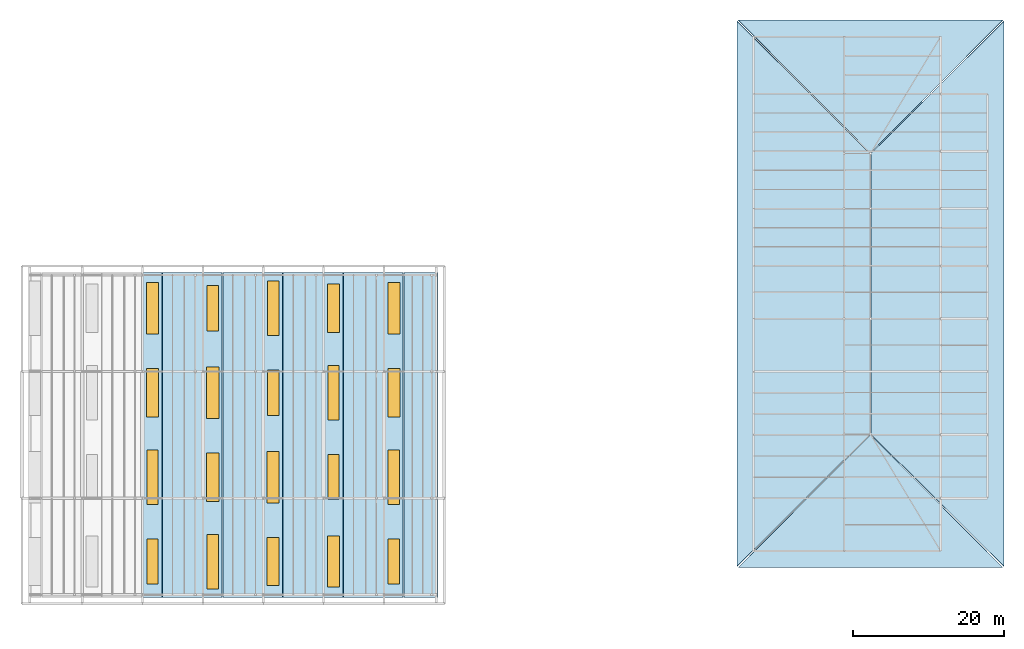
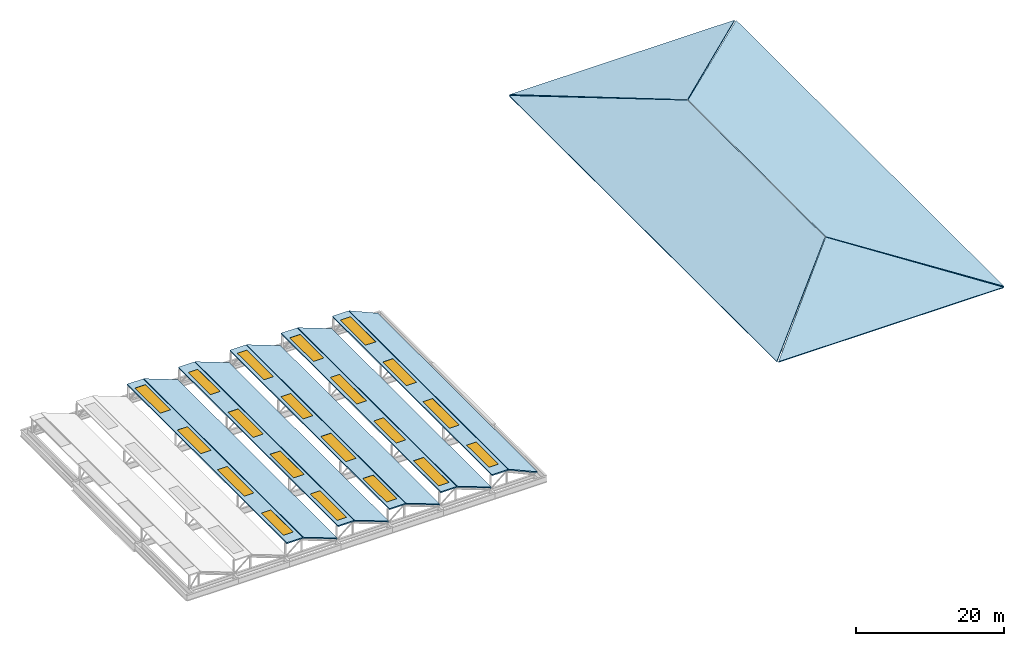
# One storey, part 12 of 14: 20 windows, 14 slabs, 20 openings.
"""IFC4 building model written with IfcOpenShell, lengths in metres."""

from ifc_helpers import new_model, si_unit, direction, frame, origin, origin_2d, place, context, subcontext, project, spatial, polyline, rectangle, outline, extrude, material, layer, layer_set, type_object, element, fill, save


model = new_model("IFC4")

# Units and contexts
model_context = context("Model", 3, precision=1e-05, world=origin(), true_north=direction((0.0, 1.0)))
body_context = subcontext(model_context, "Body", "Model", "MODEL_VIEW")
ifc_project = project(units=[si_unit("LENGTHUNIT", "METRE"), si_unit("AREAUNIT", "SQUARE_METRE"), si_unit("VOLUMEUNIT", "CUBIC_METRE"), si_unit("PLANEANGLEUNIT", "RADIAN"), si_unit("MASSUNIT", "GRAM", prefix="KILO")], contexts=[model_context])

# Site, building, storey
site_placement = place(None, origin())
site = spatial("IfcSite", under=ifc_project, at=site_placement, CompositionType="ELEMENT")
building_placement = place(site_placement, origin())
building = spatial("IfcBuilding", under=site, at=building_placement, Name="Vekula Escarpment Museum", CompositionType="ELEMENT")
storey_placement = place(building_placement, frame((0.0, 0.0, 30.60009765625)))
storey = spatial("IfcBuildingStorey", under=building, at=storey_placement, Name="RF", CompositionType="ELEMENT", Elevation=30.60009765625)

# Slabs
ifc_material_1 = material(Name="Concrete C35/45", Category="concrete")
ifc_layer_1 = layer(ifc_material_1, 0.159912109375)
ifc_layer_set_1 = layer_set([ifc_layer_1], Name="Concrete C35/45")
slab_type_1 = type_object("IfcSlabType", Name="SL-HIP-160", PredefinedType="ROOF", material=ifc_layer_set_1)
for number, where, z_axis, x_axis, name in (
    (1, (164.800048828125, 122.840087890625, 0.0), (-0.205282021113, 0.0, 0.978702861857), (0.0, -1.0, 0.0), "Cumba Gallery Hipped Sacak Roof West"),
    (2, (200.199951171875, 50.56005859375, 0.0), (0.205282021113, 0.0, 0.978702861857), (0.0, 1.0, 0.0), "Cumba Gallery Hipped Sacak Roof East"),
):
    element("IfcSlab", number, at=place(storey_placement, frame(where, z_axis=z_axis, x_axis=x_axis)), inside=storey, type_object=slab_type_1, Name=name, PredefinedType="ROOF", context=body_context, shape_type="SweptSolid", body=[
        extrude(outline(polyline([(0.0, 0.0), (72.280029296875, 0.0), (54.739990234375, 18.02374680364903), (17.5400390625, 18.02374680364903), (0.0, 0.0)])), origin(), (0.0, 0.0, -1.0), 0.159912109375),
    ])
slab_1_placement = place(storey_placement, frame((164.9599609375, 50.39990234375, 0.0), z_axis=(0.0, -0.205279299721, 0.978703432663), x_axis=(1.0, 0.0, 0.0)))
element("IfcSlab", 3, at=slab_1_placement, inside=storey, type_object=slab_type_1, Name="Cumba Gallery Hipped Sacak Roof South", PredefinedType="ROOF", context=body_context, shape_type="SweptSolid", body=[
    extrude(outline(polyline([(0.0, 0.0), (35.080078125, 0.0), (17.5400390625, 18.023985744847092), (0.0, 0.0)])), origin(), (0.0, 0.0, -1.0), 0.159912109375),
])
slab_2_placement = place(storey_placement, frame((200.0400390625, 123.0, 0.0), z_axis=(0.0, 0.205282021113, 0.978702861857), x_axis=(-1.0, 0.0, 0.0)))
element("IfcSlab", 4, at=slab_2_placement, inside=storey, type_object=slab_type_1, Name="Cumba Gallery Hipped Sacak Roof North", PredefinedType="ROOF", context=body_context, shape_type="SweptSolid", body=[
    extrude(outline(polyline([(0.0, 0.0), (35.080078125, 0.0), (17.5400390625, 18.02374680364903), (0.0, 0.0)])), origin(), (0.0, 0.0, -1.0), 0.159912109375),
])
ifc_material_2 = material(Name="Concrete C35/45", Category="concrete")
ifc_layer_2 = layer(ifc_material_2, 0.179931640625)
ifc_layer_set_2 = layer_set([ifc_layer_2], Name="Concrete C35/45")
slab_type_2 = type_object("IfcSlabType", Name="SL-ROOF-180", PredefinedType="ROOF", material=ifc_layer_set_2)
for number, where, z_axis, x_axis, name in (
    (5, (88.639892578125, 46.449951171875, 0.199951171875), (0.353054405234, 0.0, 0.935602793361), (0.935602793361, 0.0, -0.353054405234), "Sawtooth North-Light Roof Slab 03"),
    (6, (96.639892578125, 46.449951171875, 0.199951171875), (0.353054405234, 0.0, 0.935602793361), (0.935602793361, 0.0, -0.353054405234), "Sawtooth North-Light Roof Slab 04"),
    (7, (104.639892578125, 46.449951171875, 0.199951171875), (0.353054405234, 0.0, 0.935602793361), (0.935602793361, 0.0, -0.353054405234), "Sawtooth North-Light Roof Slab 05"),
    (8, (112.639892578125, 46.449951171875, 0.199951171875), (0.353054405234, 0.0, 0.935602793361), (0.935602793361, 0.0, -0.353054405234), "Sawtooth North-Light Roof Slab 06"),
):
    element("IfcSlab", number, at=place(storey_placement, frame(where, z_axis=z_axis, x_axis=x_axis)), inside=storey, type_object=slab_type_2, Name=name, PredefinedType="ROOF", context=body_context, shape_type="SweptSolid", body=[
        extrude(outline(polyline([(0.0, 0.0), (5.664849299011332, 0.0), (5.664849299011332, 43.10009765625), (0.0, 43.10009765625), (0.0, 0.0)])), origin(), (0.0, 0.0, -1.0), 0.179931640625),
    ])
slab_3_placement = place(storey_placement, frame((120.639892578125, 46.449951171875, 0.199951171875), z_axis=(0.406138466053, 0.0, 0.91381154862), x_axis=(0.91381154862, 0.0, -0.406138466053)))
element("IfcSlab", 9, at=slab_3_placement, inside=storey, type_object=slab_type_2, Name="Sawtooth North-Light Roof Slab 07", PredefinedType="ROOF", context=body_context, shape_type="SweptSolid", body=[
    extrude(outline(polyline([(0.0, 0.0), (4.924428900898053, 0.0), (4.924428900898053, 43.10009765625001), (0.0, 43.10009765625001), (0.0, 0.0)])), origin(), (0.0, 0.0, -1.0), 0.179931640625),
])

# Slab, openings, windows
ifc_material_3 = material(Name="Concrete C35/45", Category="concrete")
ifc_layer_3 = layer(ifc_material_3, 0.199951171875)
ifc_layer_set_3 = layer_set([ifc_layer_3], Name="Concrete C35/45")
slab_type_3 = type_object("IfcSlabType", Name="SL-ROOF-200", PredefinedType="ROOF", material=ifc_layer_set_3)
slab_4_placement = place(storey_placement, origin())
slab_4 = element("IfcSlab", 10, at=slab_4_placement, inside=storey, type_object=slab_type_3, Name="Sawtooth Monitor Crown Strip 03", PredefinedType="ROOF", context=body_context, shape_type="SweptSolid", body=[
    extrude(outline(polyline([(86.06005859375, 46.449951171875), (88.550048828125, 46.449951171875), (88.550048828125, 89.550048828125), (86.06005859375, 89.550048828125), (86.06005859375, 46.449951171875)])), origin(), (0.0, 0.0, 1.0), 0.199951171875),
])
opening_1_placement = place(slab_4_placement, frame((87.304931640625, 51.199951171875, -0.010009765625)))
opening_1 = element("IfcOpeningElement", 11, at=opening_1_placement, cuts=slab_4, Name="Opening RL-03", PredefinedType="OPENING", context=body_context, shape_type="SweptSolid", body=[
    extrude(rectangle(XDim=1.5, YDim=6.0, at=origin_2d()), origin(), (0.0, 0.0, 1.0), 0.219970703125),
])
opening_2_placement = place(slab_4_placement, frame((87.304931640625, 62.39990234375, -0.010009765625)))
opening_2 = element("IfcOpeningElement", 12, at=opening_2_placement, cuts=slab_4, Name="Opening RL-04", PredefinedType="OPENING", context=body_context, shape_type="SweptSolid", body=[
    extrude(rectangle(XDim=1.5, YDim=7.199951171875, at=origin_2d()), origin(), (0.0, 0.0, 1.0), 0.219970703125),
])
opening_3_placement = place(slab_4_placement, frame((87.304931640625, 73.60009765625, -0.010009765625)))
opening_3 = element("IfcOpeningElement", 13, at=opening_3_placement, cuts=slab_4, Name="Opening RL-01", PredefinedType="OPENING", context=body_context, shape_type="SweptSolid", body=[
    extrude(rectangle(XDim=1.60009765625, YDim=6.39990234375, at=origin_2d()), origin(), (0.0, 0.0, 1.0), 0.219970703125),
])
opening_4_placement = place(slab_4_placement, frame((87.304931640625, 84.800048828125, -0.010009765625)))
opening_4 = element("IfcOpeningElement", 14, at=opening_4_placement, cuts=slab_4, Name="Opening RL-02", PredefinedType="OPENING", context=body_context, shape_type="SweptSolid", body=[
    extrude(rectangle(XDim=1.60009765625, YDim=6.800048828125, at=origin_2d()), origin(), (0.0, 0.0, 1.0), 0.219970703125),
])
ifc_material_4 = material(Name="Double solar-control low-E glass", Category="glass")
window_type_1 = type_object("IfcWindowType", Name="SK-SAW-15x60", PartitioningType="SINGLE_PANEL", PredefinedType="SKYLIGHT", material=ifc_material_4)
window_1_placement = place(opening_1_placement, frame((0.0, 0.0, 0.14990234375)))
window_1 = element("IfcWindow", 15, at=window_1_placement, inside=storey, type_object=window_type_1, Name="Sawtooth Rooflight RL-09", OverallHeight=6.0, OverallWidth=1.5, PartitioningType="SINGLE_PANEL", PredefinedType="SKYLIGHT", context=body_context, shape_type="SweptSolid", body=[
    extrude(rectangle(XDim=1.5, YDim=6.0, at=origin_2d()), origin(), (0.0, 0.0, 1.0), 0.050048828125),
])
fill(opening_1, window_1)
ifc_material_5 = material(Name="Double solar-control low-E glass", Category="glass")
window_type_2 = type_object("IfcWindowType", Name="SK-SAW-15x72", PartitioningType="SINGLE_PANEL", PredefinedType="SKYLIGHT", material=ifc_material_5)
window_2_placement = place(opening_2_placement, frame((0.0, 0.0, 0.14990234375)))
window_2 = element("IfcWindow", 16, at=window_2_placement, inside=storey, type_object=window_type_2, Name="Sawtooth Rooflight RL-10", OverallHeight=7.199951171875, OverallWidth=1.5, PartitioningType="SINGLE_PANEL", PredefinedType="SKYLIGHT", context=body_context, shape_type="SweptSolid", body=[
    extrude(rectangle(XDim=1.5, YDim=7.199951171875, at=origin_2d()), origin(), (0.0, 0.0, 1.0), 0.050048828125),
])
fill(opening_2, window_2)
ifc_material_6 = material(Name="Double solar-control low-E glass", Category="glass")
window_type_3 = type_object("IfcWindowType", Name="SK-SAW-16x64", PartitioningType="SINGLE_PANEL", PredefinedType="SKYLIGHT", material=ifc_material_6)
window_3_placement = place(opening_3_placement, frame((0.0, 0.0, 0.14990234375)))
window_3 = element("IfcWindow", 17, at=window_3_placement, inside=storey, type_object=window_type_3, Name="Sawtooth Rooflight RL-11", OverallHeight=6.39990234375, OverallWidth=1.60009765625, PartitioningType="SINGLE_PANEL", PredefinedType="SKYLIGHT", context=body_context, shape_type="SweptSolid", body=[
    extrude(rectangle(XDim=1.60009765625, YDim=6.39990234375, at=origin_2d()), origin(), (0.0, 0.0, 1.0), 0.050048828125),
])
fill(opening_3, window_3)
ifc_material_7 = material(Name="Double solar-control low-E glass", Category="glass")
window_type_4 = type_object("IfcWindowType", Name="SK-SAW-16x68", PartitioningType="SINGLE_PANEL", PredefinedType="SKYLIGHT", material=ifc_material_7)
window_4_placement = place(opening_4_placement, frame((0.0, 0.0, 0.14990234375)))
window_4 = element("IfcWindow", 18, at=window_4_placement, inside=storey, type_object=window_type_4, Name="Sawtooth Rooflight RL-12", OverallHeight=6.800048828125, OverallWidth=1.60009765625, PartitioningType="SINGLE_PANEL", PredefinedType="SKYLIGHT", context=body_context, shape_type="SweptSolid", body=[
    extrude(rectangle(XDim=1.60009765625, YDim=6.800048828125, at=origin_2d()), origin(), (0.0, 0.0, 1.0), 0.050048828125),
])
fill(opening_4, window_4)

slab_5_placement = place(storey_placement, origin())
slab_5 = element("IfcSlab", 19, at=slab_5_placement, inside=storey, type_object=slab_type_3, Name="Sawtooth Monitor Crown Strip 04", PredefinedType="ROOF", context=body_context, shape_type="SweptSolid", body=[
    extrude(outline(polyline([(94.06005859375, 46.449951171875), (96.550048828125, 46.449951171875), (96.550048828125, 89.550048828125), (94.06005859375, 89.550048828125), (94.06005859375, 46.449951171875)])), origin(), (0.0, 0.0, 1.0), 0.199951171875),
])
opening_5_placement = place(slab_5_placement, frame((95.304931640625, 51.199951171875, -0.010009765625)))
opening_5 = element("IfcOpeningElement", 20, at=opening_5_placement, cuts=slab_5, Name="Opening RL-04", PredefinedType="OPENING", context=body_context, shape_type="SweptSolid", body=[
    extrude(rectangle(XDim=1.5, YDim=7.199951171875, at=origin_2d()), origin(), (0.0, 0.0, 1.0), 0.219970703125),
])
opening_6_placement = place(slab_5_placement, frame((95.304931640625, 62.39990234375, -0.010009765625)))
opening_6 = element("IfcOpeningElement", 21, at=opening_6_placement, cuts=slab_5, Name="Opening RL-01", PredefinedType="OPENING", context=body_context, shape_type="SweptSolid", body=[
    extrude(rectangle(XDim=1.60009765625, YDim=6.39990234375, at=origin_2d()), origin(), (0.0, 0.0, 1.0), 0.219970703125),
])
opening_7_placement = place(slab_5_placement, frame((95.304931640625, 73.60009765625, -0.010009765625)))
opening_7 = element("IfcOpeningElement", 22, at=opening_7_placement, cuts=slab_5, Name="Opening RL-02", PredefinedType="OPENING", context=body_context, shape_type="SweptSolid", body=[
    extrude(rectangle(XDim=1.60009765625, YDim=6.800048828125, at=origin_2d()), origin(), (0.0, 0.0, 1.0), 0.219970703125),
])
opening_8_placement = place(slab_5_placement, frame((95.304931640625, 84.800048828125, -0.010009765625)))
opening_8 = element("IfcOpeningElement", 23, at=opening_8_placement, cuts=slab_5, Name="Opening RL-03", PredefinedType="OPENING", context=body_context, shape_type="SweptSolid", body=[
    extrude(rectangle(XDim=1.5, YDim=6.0, at=origin_2d()), origin(), (0.0, 0.0, 1.0), 0.219970703125),
])
window_5_placement = place(opening_8_placement, frame((0.0, 0.0, 0.14990234375)))
window_5 = element("IfcWindow", 24, at=window_5_placement, inside=storey, type_object=window_type_1, Name="Sawtooth Rooflight RL-16", OverallHeight=6.0, OverallWidth=1.5, PartitioningType="SINGLE_PANEL", PredefinedType="SKYLIGHT", context=body_context, shape_type="SweptSolid", body=[
    extrude(rectangle(XDim=1.5, YDim=6.0, at=origin_2d()), origin(), (0.0, 0.0, 1.0), 0.050048828125),
])
fill(opening_8, window_5)
window_6_placement = place(opening_5_placement, frame((0.0, 0.0, 0.14990234375)))
window_6 = element("IfcWindow", 25, at=window_6_placement, inside=storey, type_object=window_type_2, Name="Sawtooth Rooflight RL-13", OverallHeight=7.199951171875, OverallWidth=1.5, PartitioningType="SINGLE_PANEL", PredefinedType="SKYLIGHT", context=body_context, shape_type="SweptSolid", body=[
    extrude(rectangle(XDim=1.5, YDim=7.199951171875, at=origin_2d()), origin(), (0.0, 0.0, 1.0), 0.050048828125),
])
fill(opening_5, window_6)
window_7_placement = place(opening_6_placement, frame((0.0, 0.0, 0.14990234375)))
window_7 = element("IfcWindow", 26, at=window_7_placement, inside=storey, type_object=window_type_3, Name="Sawtooth Rooflight RL-14", OverallHeight=6.39990234375, OverallWidth=1.60009765625, PartitioningType="SINGLE_PANEL", PredefinedType="SKYLIGHT", context=body_context, shape_type="SweptSolid", body=[
    extrude(rectangle(XDim=1.60009765625, YDim=6.39990234375, at=origin_2d()), origin(), (0.0, 0.0, 1.0), 0.050048828125),
])
fill(opening_6, window_7)
window_8_placement = place(opening_7_placement, frame((0.0, 0.0, 0.14990234375)))
window_8 = element("IfcWindow", 27, at=window_8_placement, inside=storey, type_object=window_type_4, Name="Sawtooth Rooflight RL-15", OverallHeight=6.800048828125, OverallWidth=1.60009765625, PartitioningType="SINGLE_PANEL", PredefinedType="SKYLIGHT", context=body_context, shape_type="SweptSolid", body=[
    extrude(rectangle(XDim=1.60009765625, YDim=6.800048828125, at=origin_2d()), origin(), (0.0, 0.0, 1.0), 0.050048828125),
])
fill(opening_7, window_8)

slab_6_placement = place(storey_placement, origin())
slab_6 = element("IfcSlab", 28, at=slab_6_placement, inside=storey, type_object=slab_type_3, Name="Sawtooth Monitor Crown Strip 05", PredefinedType="ROOF", context=body_context, shape_type="SweptSolid", body=[
    extrude(outline(polyline([(102.06005859375, 46.449951171875), (104.550048828125, 46.449951171875), (104.550048828125, 89.550048828125), (102.06005859375, 89.550048828125), (102.06005859375, 46.449951171875)])), origin(), (0.0, 0.0, 1.0), 0.199951171875),
])
opening_9_placement = place(slab_6_placement, frame((103.304931640625, 51.199951171875, -0.010009765625)))
opening_9 = element("IfcOpeningElement", 29, at=opening_9_placement, cuts=slab_6, Name="Opening RL-01", PredefinedType="OPENING", context=body_context, shape_type="SweptSolid", body=[
    extrude(rectangle(XDim=1.60009765625, YDim=6.39990234375, at=origin_2d()), origin(), (0.0, 0.0, 1.0), 0.219970703125),
])
opening_10_placement = place(slab_6_placement, frame((103.304931640625, 62.39990234375, -0.010009765625)))
opening_10 = element("IfcOpeningElement", 30, at=opening_10_placement, cuts=slab_6, Name="Opening RL-02", PredefinedType="OPENING", context=body_context, shape_type="SweptSolid", body=[
    extrude(rectangle(XDim=1.60009765625, YDim=6.800048828125, at=origin_2d()), origin(), (0.0, 0.0, 1.0), 0.219970703125),
])
opening_11_placement = place(slab_6_placement, frame((103.304931640625, 73.60009765625, -0.010009765625)))
opening_11 = element("IfcOpeningElement", 31, at=opening_11_placement, cuts=slab_6, Name="Opening RL-03", PredefinedType="OPENING", context=body_context, shape_type="SweptSolid", body=[
    extrude(rectangle(XDim=1.5, YDim=6.0, at=origin_2d()), origin(), (0.0, 0.0, 1.0), 0.219970703125),
])
opening_12_placement = place(slab_6_placement, frame((103.304931640625, 84.800048828125, -0.010009765625)))
opening_12 = element("IfcOpeningElement", 32, at=opening_12_placement, cuts=slab_6, Name="Opening RL-04", PredefinedType="OPENING", context=body_context, shape_type="SweptSolid", body=[
    extrude(rectangle(XDim=1.5, YDim=7.199951171875, at=origin_2d()), origin(), (0.0, 0.0, 1.0), 0.219970703125),
])
window_9_placement = place(opening_11_placement, frame((0.0, 0.0, 0.14990234375)))
window_9 = element("IfcWindow", 33, at=window_9_placement, inside=storey, type_object=window_type_1, Name="Sawtooth Rooflight RL-19", OverallHeight=6.0, OverallWidth=1.5, PartitioningType="SINGLE_PANEL", PredefinedType="SKYLIGHT", context=body_context, shape_type="SweptSolid", body=[
    extrude(rectangle(XDim=1.5, YDim=6.0, at=origin_2d()), origin(), (0.0, 0.0, 1.0), 0.050048828125),
])
fill(opening_11, window_9)
window_10_placement = place(opening_12_placement, frame((0.0, 0.0, 0.14990234375)))
window_10 = element("IfcWindow", 34, at=window_10_placement, inside=storey, type_object=window_type_2, Name="Sawtooth Rooflight RL-20", OverallHeight=7.199951171875, OverallWidth=1.5, PartitioningType="SINGLE_PANEL", PredefinedType="SKYLIGHT", context=body_context, shape_type="SweptSolid", body=[
    extrude(rectangle(XDim=1.5, YDim=7.199951171875, at=origin_2d()), origin(), (0.0, 0.0, 1.0), 0.050048828125),
])
fill(opening_12, window_10)
window_11_placement = place(opening_9_placement, frame((0.0, 0.0, 0.14990234375)))
window_11 = element("IfcWindow", 35, at=window_11_placement, inside=storey, type_object=window_type_3, Name="Sawtooth Rooflight RL-17", OverallHeight=6.39990234375, OverallWidth=1.60009765625, PartitioningType="SINGLE_PANEL", PredefinedType="SKYLIGHT", context=body_context, shape_type="SweptSolid", body=[
    extrude(rectangle(XDim=1.60009765625, YDim=6.39990234375, at=origin_2d()), origin(), (0.0, 0.0, 1.0), 0.050048828125),
])
fill(opening_9, window_11)
window_12_placement = place(opening_10_placement, frame((0.0, 0.0, 0.14990234375)))
window_12 = element("IfcWindow", 36, at=window_12_placement, inside=storey, type_object=window_type_4, Name="Sawtooth Rooflight RL-18", OverallHeight=6.800048828125, OverallWidth=1.60009765625, PartitioningType="SINGLE_PANEL", PredefinedType="SKYLIGHT", context=body_context, shape_type="SweptSolid", body=[
    extrude(rectangle(XDim=1.60009765625, YDim=6.800048828125, at=origin_2d()), origin(), (0.0, 0.0, 1.0), 0.050048828125),
])
fill(opening_10, window_12)

slab_7_placement = place(storey_placement, origin())
slab_7 = element("IfcSlab", 37, at=slab_7_placement, inside=storey, type_object=slab_type_3, Name="Sawtooth Monitor Crown Strip 06", PredefinedType="ROOF", context=body_context, shape_type="SweptSolid", body=[
    extrude(outline(polyline([(110.06005859375, 46.449951171875), (112.550048828125, 46.449951171875), (112.550048828125, 89.550048828125), (110.06005859375, 89.550048828125), (110.06005859375, 46.449951171875)])), origin(), (0.0, 0.0, 1.0), 0.199951171875),
])
opening_13_placement = place(slab_7_placement, frame((111.304931640625, 51.199951171875, -0.010009765625)))
opening_13 = element("IfcOpeningElement", 38, at=opening_13_placement, cuts=slab_7, Name="Opening RL-02", PredefinedType="OPENING", context=body_context, shape_type="SweptSolid", body=[
    extrude(rectangle(XDim=1.60009765625, YDim=6.800048828125, at=origin_2d()), origin(), (0.0, 0.0, 1.0), 0.219970703125),
])
opening_14_placement = place(slab_7_placement, frame((111.304931640625, 62.39990234375, -0.010009765625)))
opening_14 = element("IfcOpeningElement", 39, at=opening_14_placement, cuts=slab_7, Name="Opening RL-03", PredefinedType="OPENING", context=body_context, shape_type="SweptSolid", body=[
    extrude(rectangle(XDim=1.5, YDim=6.0, at=origin_2d()), origin(), (0.0, 0.0, 1.0), 0.219970703125),
])
opening_15_placement = place(slab_7_placement, frame((111.304931640625, 73.60009765625, -0.010009765625)))
opening_15 = element("IfcOpeningElement", 40, at=opening_15_placement, cuts=slab_7, Name="Opening RL-04", PredefinedType="OPENING", context=body_context, shape_type="SweptSolid", body=[
    extrude(rectangle(XDim=1.5, YDim=7.199951171875, at=origin_2d()), origin(), (0.0, 0.0, 1.0), 0.219970703125),
])
opening_16_placement = place(slab_7_placement, frame((111.304931640625, 84.800048828125, -0.010009765625)))
opening_16 = element("IfcOpeningElement", 41, at=opening_16_placement, cuts=slab_7, Name="Opening RL-01", PredefinedType="OPENING", context=body_context, shape_type="SweptSolid", body=[
    extrude(rectangle(XDim=1.60009765625, YDim=6.39990234375, at=origin_2d()), origin(), (0.0, 0.0, 1.0), 0.219970703125),
])
window_13_placement = place(opening_14_placement, frame((0.0, 0.0, 0.14990234375)))
window_13 = element("IfcWindow", 42, at=window_13_placement, inside=storey, type_object=window_type_1, Name="Sawtooth Rooflight RL-22", OverallHeight=6.0, OverallWidth=1.5, PartitioningType="SINGLE_PANEL", PredefinedType="SKYLIGHT", context=body_context, shape_type="SweptSolid", body=[
    extrude(rectangle(XDim=1.5, YDim=6.0, at=origin_2d()), origin(), (0.0, 0.0, 1.0), 0.050048828125),
])
fill(opening_14, window_13)
window_14_placement = place(opening_15_placement, frame((0.0, 0.0, 0.14990234375)))
window_14 = element("IfcWindow", 43, at=window_14_placement, inside=storey, type_object=window_type_2, Name="Sawtooth Rooflight RL-23", OverallHeight=7.199951171875, OverallWidth=1.5, PartitioningType="SINGLE_PANEL", PredefinedType="SKYLIGHT", context=body_context, shape_type="SweptSolid", body=[
    extrude(rectangle(XDim=1.5, YDim=7.199951171875, at=origin_2d()), origin(), (0.0, 0.0, 1.0), 0.050048828125),
])
fill(opening_15, window_14)
window_15_placement = place(opening_16_placement, frame((0.0, 0.0, 0.14990234375)))
window_15 = element("IfcWindow", 44, at=window_15_placement, inside=storey, type_object=window_type_3, Name="Sawtooth Rooflight RL-24", OverallHeight=6.39990234375, OverallWidth=1.60009765625, PartitioningType="SINGLE_PANEL", PredefinedType="SKYLIGHT", context=body_context, shape_type="SweptSolid", body=[
    extrude(rectangle(XDim=1.60009765625, YDim=6.39990234375, at=origin_2d()), origin(), (0.0, 0.0, 1.0), 0.050048828125),
])
fill(opening_16, window_15)
window_16_placement = place(opening_13_placement, frame((0.0, 0.0, 0.14990234375)))
window_16 = element("IfcWindow", 45, at=window_16_placement, inside=storey, type_object=window_type_4, Name="Sawtooth Rooflight RL-21", OverallHeight=6.800048828125, OverallWidth=1.60009765625, PartitioningType="SINGLE_PANEL", PredefinedType="SKYLIGHT", context=body_context, shape_type="SweptSolid", body=[
    extrude(rectangle(XDim=1.60009765625, YDim=6.800048828125, at=origin_2d()), origin(), (0.0, 0.0, 1.0), 0.050048828125),
])
fill(opening_13, window_16)

slab_8_placement = place(storey_placement, origin())
slab_8 = element("IfcSlab", 46, at=slab_8_placement, inside=storey, type_object=slab_type_3, Name="Sawtooth Monitor Crown Strip 07", PredefinedType="ROOF", context=body_context, shape_type="SweptSolid", body=[
    extrude(outline(polyline([(118.06005859375, 46.449951171875), (120.550048828125, 46.449951171875), (120.550048828125, 89.550048828125), (118.06005859375, 89.550048828125), (118.06005859375, 46.449951171875)])), origin(), (0.0, 0.0, 1.0), 0.199951171875),
])
opening_17_placement = place(slab_8_placement, frame((119.304931640625, 51.199951171875, -0.010009765625)))
opening_17 = element("IfcOpeningElement", 47, at=opening_17_placement, cuts=slab_8, Name="Opening RL-03", PredefinedType="OPENING", context=body_context, shape_type="SweptSolid", body=[
    extrude(rectangle(XDim=1.5, YDim=6.0, at=origin_2d()), origin(), (0.0, 0.0, 1.0), 0.219970703125),
])
opening_18_placement = place(slab_8_placement, frame((119.304931640625, 62.39990234375, -0.010009765625)))
opening_18 = element("IfcOpeningElement", 48, at=opening_18_placement, cuts=slab_8, Name="Opening RL-04", PredefinedType="OPENING", context=body_context, shape_type="SweptSolid", body=[
    extrude(rectangle(XDim=1.5, YDim=7.199951171875, at=origin_2d()), origin(), (0.0, 0.0, 1.0), 0.219970703125),
])
opening_19_placement = place(slab_8_placement, frame((119.304931640625, 73.60009765625, -0.010009765625)))
opening_19 = element("IfcOpeningElement", 49, at=opening_19_placement, cuts=slab_8, Name="Opening RL-01", PredefinedType="OPENING", context=body_context, shape_type="SweptSolid", body=[
    extrude(rectangle(XDim=1.60009765625, YDim=6.39990234375, at=origin_2d()), origin(), (0.0, 0.0, 1.0), 0.219970703125),
])
opening_20_placement = place(slab_8_placement, frame((119.304931640625, 84.800048828125, -0.010009765625)))
opening_20 = element("IfcOpeningElement", 50, at=opening_20_placement, cuts=slab_8, Name="Opening RL-02", PredefinedType="OPENING", context=body_context, shape_type="SweptSolid", body=[
    extrude(rectangle(XDim=1.60009765625, YDim=6.800048828125, at=origin_2d()), origin(), (0.0, 0.0, 1.0), 0.219970703125),
])
window_17_placement = place(opening_17_placement, frame((0.0, 0.0, 0.14990234375)))
window_17 = element("IfcWindow", 51, at=window_17_placement, inside=storey, type_object=window_type_1, Name="Sawtooth Rooflight RL-25", OverallHeight=6.0, OverallWidth=1.5, PartitioningType="SINGLE_PANEL", PredefinedType="SKYLIGHT", context=body_context, shape_type="SweptSolid", body=[
    extrude(rectangle(XDim=1.5, YDim=6.0, at=origin_2d()), origin(), (0.0, 0.0, 1.0), 0.050048828125),
])
fill(opening_17, window_17)
window_18_placement = place(opening_18_placement, frame((0.0, 0.0, 0.14990234375)))
window_18 = element("IfcWindow", 52, at=window_18_placement, inside=storey, type_object=window_type_2, Name="Sawtooth Rooflight RL-26", OverallHeight=7.199951171875, OverallWidth=1.5, PartitioningType="SINGLE_PANEL", PredefinedType="SKYLIGHT", context=body_context, shape_type="SweptSolid", body=[
    extrude(rectangle(XDim=1.5, YDim=7.199951171875, at=origin_2d()), origin(), (0.0, 0.0, 1.0), 0.050048828125),
])
fill(opening_18, window_18)
window_19_placement = place(opening_19_placement, frame((0.0, 0.0, 0.14990234375)))
window_19 = element("IfcWindow", 53, at=window_19_placement, inside=storey, type_object=window_type_3, Name="Sawtooth Rooflight RL-27", OverallHeight=6.39990234375, OverallWidth=1.60009765625, PartitioningType="SINGLE_PANEL", PredefinedType="SKYLIGHT", context=body_context, shape_type="SweptSolid", body=[
    extrude(rectangle(XDim=1.60009765625, YDim=6.39990234375, at=origin_2d()), origin(), (0.0, 0.0, 1.0), 0.050048828125),
])
fill(opening_19, window_19)
window_20_placement = place(opening_20_placement, frame((0.0, 0.0, 0.14990234375)))
window_20 = element("IfcWindow", 54, at=window_20_placement, inside=storey, type_object=window_type_4, Name="Sawtooth Rooflight RL-28", OverallHeight=6.800048828125, OverallWidth=1.60009765625, PartitioningType="SINGLE_PANEL", PredefinedType="SKYLIGHT", context=body_context, shape_type="SweptSolid", body=[
    extrude(rectangle(XDim=1.60009765625, YDim=6.800048828125, at=origin_2d()), origin(), (0.0, 0.0, 1.0), 0.050048828125),
])
fill(opening_20, window_20)

save(model, "model.ifc")
